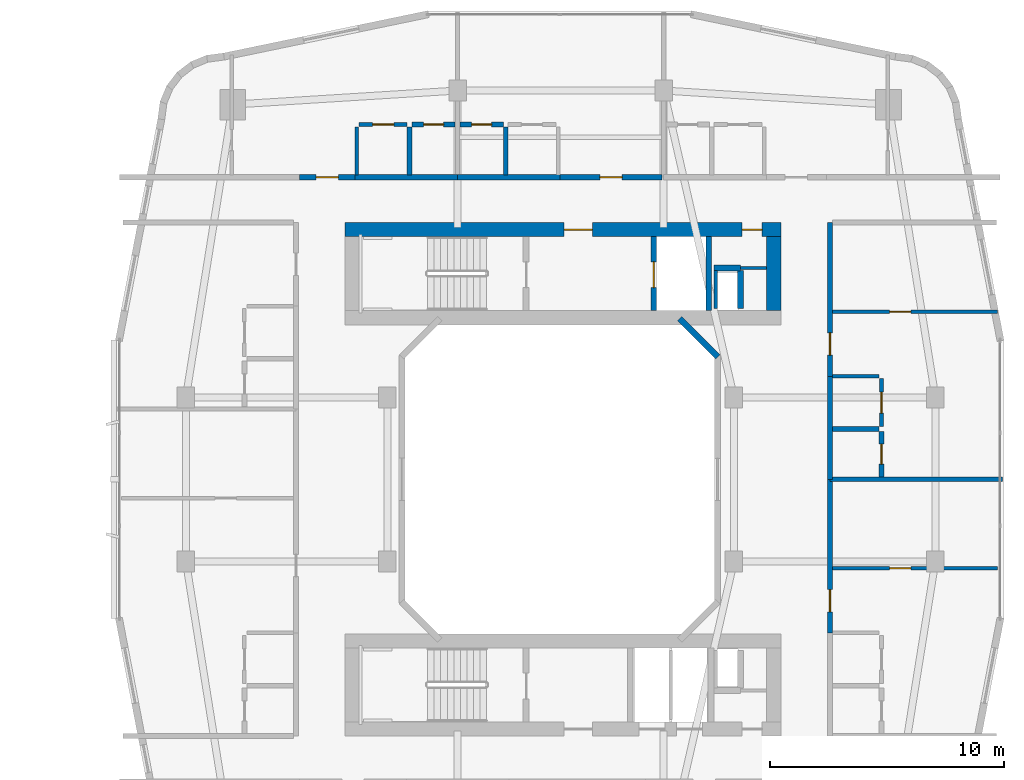
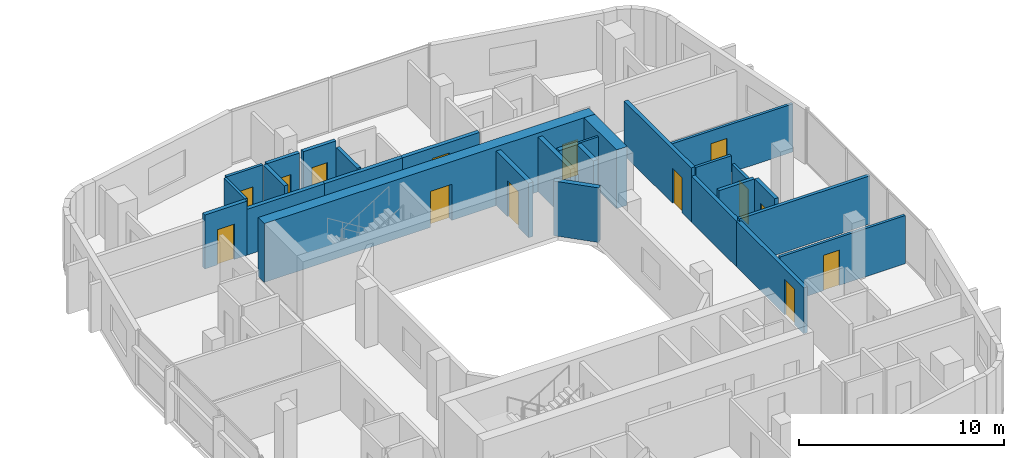
# One storey, part 20 of 27: 29 walls, 14 doors, 14 openings.
"""IFC4 building model written with IfcOpenShell, lengths in metres."""

from ifc_helpers import new_model, si_unit, derived_unit, direction, frame, frame_2d, origin, place, context, subcontext, project, spatial, rectangle, extrude, material, layer, layer_set, type_object, element, fill, save


model = new_model("IFC4")

# Units and contexts
model_context = context("Model", 3, precision=1e-05, world=origin(), true_north=direction((0.0, 1.0)))
body_context = subcontext(model_context, "Body", "Model", "MODEL_VIEW")
ifc_project = project(units=[si_unit("LENGTHUNIT", "METRE"), si_unit("AREAUNIT", "SQUARE_METRE"), si_unit("VOLUMEUNIT", "CUBIC_METRE"), si_unit("PLANEANGLEUNIT", "RADIAN"), si_unit("MASSUNIT", "GRAM", prefix="KILO"), derived_unit("THERMALTRANSMITTANCEUNIT", [(si_unit("POWERUNIT", "WATT"), 1), (si_unit("LENGTHUNIT", "METRE"), -2), (si_unit("THERMODYNAMICTEMPERATUREUNIT", "KELVIN"), -1)])], contexts=[model_context])

# Site, building, storey
site_placement = place(None, origin())
site = spatial("IfcSite", under=ifc_project, at=site_placement, CompositionType="ELEMENT")
building_placement = place(site_placement, origin())
building = spatial("IfcBuilding", under=site, at=building_placement, Name="Kivonza Crest Hotel", CompositionType="ELEMENT")
storey_placement = place(building_placement, frame((0.0, 0.0, 31.0)))
storey = spatial("IfcBuildingStorey", under=building, at=storey_placement, Name="L07", CompositionType="ELEMENT", Elevation=31.0)

# Walls
ifc_material_1 = material(Name="High-density acoustic masonry inter-tenancy wall", Category="masonry")
ifc_layer_1 = layer(ifc_material_1, 0.179931640625)
ifc_layer_set_1 = layer_set([ifc_layer_1], Name="High-density acoustic masonry inter-tenancy wall")
wall_type_1 = type_object("IfcWallType", Name="WL-ACOU-180", PredefinedType="SOLIDWALL", material=ifc_layer_set_1)
wall_1_placement = place(storey_placement, frame((88.5, 25.0, 0.0), z_axis=(0.0, 0.0, 1.0), x_axis=(1.0, 0.0, 0.0)))
element("IfcWall", 1, at=wall_1_placement, inside=storey, type_object=wall_type_1, Name="L07 interior partition WA-L07-T2E-DIV1", PredefinedType="SOLIDWALL", context=body_context, shape_type="SweptSolid", body=[
    extrude(rectangle(XDim=7.360107421875, YDim=0.179931640625, at=frame_2d((3.68017578125, 0.0))), origin(), (0.0, 0.0, 1.0), 2.864990234375),
])
ifc_material_2 = material(Name="Autoclaved aerated concrete blockwork", Category="masonry")
ifc_layer_2 = layer(ifc_material_2, 0.219970703125)
ifc_layer_set_2 = layer_set([ifc_layer_2], Name="Autoclaved aerated concrete blockwork")
wall_type_2 = type_object("IfcWallType", Name="WL-ACOU-220", PredefinedType="SOLIDWALL", material=ifc_layer_set_2)
wall_2_placement = place(storey_placement, frame((68.219970703125, 37.89990234375, 0.0), z_axis=(0.0, 0.0, 1.0), x_axis=(1.0, 0.0, 0.0)))
element("IfcWall", 2, at=wall_2_placement, inside=storey, type_object=wall_type_2, Name="L07 interior partition WA-L07-A01-RCORR", PredefinedType="SOLIDWALL", context=body_context, shape_type="SweptSolid", body=[
    extrude(rectangle(XDim=4.380126953125, YDim=0.219970703125, at=frame_2d((2.18994140625, 0.0))), origin(), (0.0, 0.0, 1.0), 2.72509765625),
])

# Wall, opening, door
wall_3_placement = place(storey_placement, frame((65.85009765625, 37.89990234375, 0.0), z_axis=(0.0, 0.0, 1.0), x_axis=(1.0, 0.0, 0.0)))
wall_3 = element("IfcWall", 3, at=wall_3_placement, inside=storey, type_object=wall_type_2, Name="L07 interior partition WA-L07-A01-MCORR", PredefinedType="SOLIDWALL", context=body_context, shape_type="SweptSolid", body=[
    extrude(rectangle(XDim=2.369873046875, YDim=0.219970703125, at=frame_2d((1.18505859375, 0.0))), origin(), (0.0, 0.0, 1.0), 3.219970703125),
])
opening_1_placement = place(wall_3_placement, frame((0.7099609375, 0.0, 0.0)))
opening_1 = element("IfcOpeningElement", 4, at=opening_1_placement, cuts=wall_3, Name="Opening DU-60", PredefinedType="OPENING", context=body_context, shape_type="SweptSolid", body=[
    extrude(rectangle(XDim=0.949951171875, YDim=2.10009765625, at=frame_2d((0.47509765625, 1.050048828125))), frame((0.0, 0.1201171875, 0.0), z_axis=(0.0, -1.0, 0.0), x_axis=(1.0, 0.0, 0.0)), (0.0, 0.0, 1.0), 0.239990234375),
])
ifc_material_3 = material(Name="Hardwood timber oak", Category="wood")
door_type_1 = type_object("IfcDoorType", Name="DR-UNIT-950", OperationType="NOTDEFINED", PredefinedType="DOOR", material=ifc_material_3)
door_1_placement = place(opening_1_placement, origin())
door_1 = element("IfcDoor", 5, at=door_1_placement, inside=storey, type_object=door_type_1, Name="L07 A01 apartment entrance fire door", OperationType="SINGLE_SWING_LEFT", OverallHeight=2.10009765625, OverallWidth=0.949951171875, PredefinedType="DOOR", context=body_context, shape_type="SweptSolid", body=[
    extrude(rectangle(XDim=0.949951171875, YDim=2.10009765625, at=frame_2d((0.47509765625, 1.050048828125))), frame((0.0, 0.02490234375, 0.0), z_axis=(0.0, -1.0, 0.0), x_axis=(1.0, 0.0, 0.0)), (0.0, 0.0, 1.0), 0.050048828125),
])
fill(opening_1, door_1)

# Wall
wall_4_placement = place(storey_placement, frame((72.60009765625, 37.89990234375, 0.0), z_axis=(0.0, 0.0, 1.0), x_axis=(1.0, 0.0, 0.0)))
element("IfcWall", 6, at=wall_4_placement, inside=storey, type_object=wall_type_2, Name="L07 interior partition WA-L07-A02-LCORR", PredefinedType="SOLIDWALL", context=body_context, shape_type="SweptSolid", body=[
    extrude(rectangle(XDim=4.3798828125, YDim=0.219970703125, at=frame_2d((2.18994140625, 0.0))), origin(), (0.0, 0.0, 1.0), 2.72509765625),
])

# Wall, opening, door
wall_5_placement = place(storey_placement, frame((76.97998046875, 37.89990234375, 0.0), z_axis=(0.0, 0.0, 1.0), x_axis=(1.0, 0.0, 0.0)))
wall_5 = element("IfcWall", 7, at=wall_5_placement, inside=storey, type_object=wall_type_2, Name="L07 interior partition WA-L07-A02-MCORR", PredefinedType="SOLIDWALL", context=body_context, shape_type="SweptSolid", body=[
    extrude(rectangle(XDim=4.340087890625, YDim=0.219970703125, at=frame_2d((2.169921875, 0.0))), origin(), (0.0, 0.0, 1.0), 2.72509765625),
])
opening_2_placement = place(wall_5_placement, frame((1.695068359375, 0.0, 0.0)))
opening_2 = element("IfcOpeningElement", 8, at=opening_2_placement, cuts=wall_5, Name="Opening DU-60", PredefinedType="OPENING", context=body_context, shape_type="SweptSolid", body=[
    extrude(rectangle(XDim=0.949951171875, YDim=2.10009765625, at=frame_2d((0.47509765625, 1.050048828125))), frame((0.0, 0.1201171875, 0.0), z_axis=(0.0, -1.0, 0.0), x_axis=(1.0, 0.0, 0.0)), (0.0, 0.0, 1.0), 0.239990234375),
])
door_2_placement = place(opening_2_placement, origin())
door_2 = element("IfcDoor", 9, at=door_2_placement, inside=storey, type_object=door_type_1, Name="L07 A02 apartment entrance fire door", OperationType="SINGLE_SWING_RIGHT", OverallHeight=2.10009765625, OverallWidth=0.949951171875, PredefinedType="DOOR", context=body_context, shape_type="SweptSolid", body=[
    extrude(rectangle(XDim=0.949951171875, YDim=2.10009765625, at=frame_2d((0.47509765625, 1.050048828125))), frame((0.0, 0.02490234375, 0.0), z_axis=(0.0, -1.0, 0.0), x_axis=(1.0, 0.0, 0.0)), (0.0, 0.0, 1.0), 0.050048828125),
])
fill(opening_2, door_2)

wall_6_placement = place(storey_placement, frame((88.5, 18.43994140625, 0.0), z_axis=(0.0, 0.0, 1.0), x_axis=(0.0, 1.0, 0.0)))
wall_6 = element("IfcWall", 10, at=wall_6_placement, inside=storey, type_object=wall_type_2, Name="L07 interior partition WA-L07-A08-MCORR", PredefinedType="SOLIDWALL", context=body_context, shape_type="SweptSolid", body=[
    extrude(rectangle(XDim=6.56005859375, YDim=0.219970703125, at=frame_2d((3.280029296875, 0.0))), origin(), (0.0, 0.0, 1.0), 2.72509765625),
])
opening_3_placement = place(wall_6_placement, frame((0.905029296875, 0.0, 0.0)))
opening_3 = element("IfcOpeningElement", 11, at=opening_3_placement, cuts=wall_6, Name="Opening DU-60", PredefinedType="OPENING", context=body_context, shape_type="SweptSolid", body=[
    extrude(rectangle(XDim=0.949951171875, YDim=2.10009765625, at=frame_2d((0.47509765625, 1.050048828125))), frame((0.0, 0.1201171875, 0.0), z_axis=(0.0, -1.0, 0.0), x_axis=(1.0, 0.0, 0.0)), (0.0, 0.0, 1.0), 0.239990234375),
])
door_3_placement = place(opening_3_placement, frame((0.949951171875, 0.0, 0.0), z_axis=(0.0, 0.0, 1.0), x_axis=(-1.0, 0.0, 0.0)))
door_3 = element("IfcDoor", 12, at=door_3_placement, inside=storey, type_object=door_type_1, Name="L07 A08 apartment entrance fire door", OperationType="SINGLE_SWING_RIGHT", OverallHeight=2.10009765625, OverallWidth=0.949951171875, PredefinedType="DOOR", context=body_context, shape_type="SweptSolid", body=[
    extrude(rectangle(XDim=0.949951171875, YDim=2.10009765625, at=frame_2d((0.47509765625, 1.050048828125))), frame((0.0, 0.02490234375, 0.0), z_axis=(0.0, -1.0, 0.0), x_axis=(1.0, 0.0, 0.0)), (0.0, 0.0, 1.0), 0.050048828125),
])
fill(opening_3, door_3)

# Wall
wall_7_placement = place(storey_placement, frame((88.5, 25.0, 0.0), z_axis=(0.0, 0.0, 1.0), x_axis=(0.0, 1.0, 0.0)))
element("IfcWall", 13, at=wall_7_placement, inside=storey, type_object=wall_type_2, Name="L07 interior partition WA-L07-A09-BCORR", PredefinedType="SOLIDWALL", context=body_context, shape_type="SweptSolid", body=[
    extrude(rectangle(XDim=4.39990234375, YDim=0.219970703125, at=frame_2d((2.199951171875, 0.0))), origin(), (0.0, 0.0, 1.0), 2.72509765625),
])

# Wall, opening, door
wall_8_placement = place(storey_placement, frame((88.5, 29.39990234375, 0.0), z_axis=(0.0, 0.0, 1.0), x_axis=(0.0, 1.0, 0.0)))
wall_8 = element("IfcWall", 14, at=wall_8_placement, inside=storey, type_object=wall_type_2, Name="L07 interior partition WA-L07-A09-MCORR", PredefinedType="SOLIDWALL", context=body_context, shape_type="SweptSolid", body=[
    extrude(rectangle(XDim=6.56005859375, YDim=0.219970703125, at=frame_2d((3.280029296875, 0.0))), origin(), (0.0, 0.0, 1.0), 3.219970703125),
])
opening_4_placement = place(wall_8_placement, frame((0.905029296875, 0.0, 0.0)))
opening_4 = element("IfcOpeningElement", 15, at=opening_4_placement, cuts=wall_8, Name="Opening DU-60", PredefinedType="OPENING", context=body_context, shape_type="SweptSolid", body=[
    extrude(rectangle(XDim=0.949951171875, YDim=2.10009765625, at=frame_2d((0.47509765625, 1.050048828125))), frame((0.0, 0.1201171875, 0.0), z_axis=(0.0, -1.0, 0.0), x_axis=(1.0, 0.0, 0.0)), (0.0, 0.0, 1.0), 0.239990234375),
])
door_4_placement = place(opening_4_placement, frame((0.949951171875, 0.0, 0.0), z_axis=(0.0, 0.0, 1.0), x_axis=(-1.0, 0.0, 0.0)))
door_4 = element("IfcDoor", 16, at=door_4_placement, inside=storey, type_object=door_type_1, Name="L07 A09 apartment entrance fire door", OperationType="SINGLE_SWING_LEFT", OverallHeight=2.10009765625, OverallWidth=0.949951171875, PredefinedType="DOOR", context=body_context, shape_type="SweptSolid", body=[
    extrude(rectangle(XDim=0.949951171875, YDim=2.10009765625, at=frame_2d((0.47509765625, 1.050048828125))), frame((0.0, 0.02490234375, 0.0), z_axis=(0.0, -1.0, 0.0), x_axis=(1.0, 0.0, 0.0)), (0.0, 0.0, 1.0), 0.050048828125),
])
fill(opening_4, door_4)

# Wall, openings, doors
ifc_material_4 = material(Name="Concrete C60/75", Category="concrete")
ifc_layer_3 = layer(ifc_material_4, 0.60009765625)
ifc_layer_set_3 = layer_set([ifc_layer_3], Name="Concrete C60/75")
wall_type_3 = type_object("IfcWallType", Name="WL-CORE-600", PredefinedType="SHEAR", material=ifc_layer_set_3)
wall_9_placement = place(storey_placement, frame((67.800048828125, 35.659912109375, 0.0), z_axis=(0.0, 0.0, 1.0), x_axis=(1.0, 0.0, 0.0)))
wall_9 = element("IfcWall", 17, at=wall_9_placement, inside=storey, type_object=wall_type_3, Name="Core wall T2-N North L07", PredefinedType="SHEAR", context=body_context, shape_type="SweptSolid", body=[
    extrude(rectangle(XDim=18.599853515625, YDim=0.60009765625, at=frame_2d((9.2998046875, 0.0))), origin(), (0.0, 0.0, 1.0), 3.5),
])
opening_5_placement = place(wall_9_placement, frame((9.35009765625, 0.0, 0.0)))
opening_5 = element("IfcOpeningElement", 18, at=opening_5_placement, cuts=wall_9, Name="Opening DF-60", PredefinedType="OPENING", context=body_context, shape_type="SweptSolid", body=[
    extrude(rectangle(XDim=1.199951171875, YDim=2.14990234375, at=frame_2d((0.60009765625, 1.074951171875))), frame((0.0, 0.31005859375, 0.0), z_axis=(0.0, -1.0, 0.0), x_axis=(1.0, 0.0, 0.0)), (0.0, 0.0, 1.0), 0.6201171875),
])
opening_6_placement = place(wall_9_placement, frame((16.949951171875, 0.0, 0.0)))
opening_6 = element("IfcOpeningElement", 19, at=opening_6_placement, cuts=wall_9, Name="Opening DF-60R", PredefinedType="OPENING", context=body_context, shape_type="SweptSolid", body=[
    extrude(rectangle(XDim=0.85009765625, YDim=2.10009765625, at=frame_2d((0.425048828125, 1.050048828125))), frame((0.0, 0.31005859375, 0.0), z_axis=(0.0, -1.0, 0.0), x_axis=(1.0, 0.0, 0.0)), (0.0, 0.0, 1.0), 0.6201171875),
])
door_type_2 = type_object("IfcDoorType", Name="DR-FD60-1200", OperationType="NOTDEFINED", PredefinedType="DOOR", material=ifc_material_3)
door_5_placement = place(opening_5_placement, origin())
door_5 = element("IfcDoor", 20, at=door_5_placement, inside=storey, type_object=door_type_2, Name="L07 T2-N firefighting lobby fire door", OperationType="SINGLE_SWING_RIGHT", OverallHeight=2.14990234375, OverallWidth=1.199951171875, PredefinedType="DOOR", context=body_context, shape_type="SweptSolid", body=[
    extrude(rectangle(XDim=1.199951171875, YDim=2.14990234375, at=frame_2d((0.60009765625, 1.074951171875))), frame((0.0, 0.02490234375, 0.0), z_axis=(0.0, -1.0, 0.0), x_axis=(1.0, 0.0, 0.0)), (0.0, 0.0, 1.0), 0.050048828125),
])
fill(opening_5, door_5)
door_type_3 = type_object("IfcDoorType", Name="DR-FD60-850", OperationType="NOTDEFINED", PredefinedType="DOOR", material=ifc_material_3)
door_6_placement = place(opening_6_placement, origin())
door_6 = element("IfcDoor", 21, at=door_6_placement, inside=storey, type_object=door_type_3, Name="L07 T2-N core room door", OperationType="SINGLE_SWING_RIGHT", OverallHeight=2.10009765625, OverallWidth=0.85009765625, PredefinedType="DOOR", context=body_context, shape_type="SweptSolid", body=[
    extrude(rectangle(XDim=0.85009765625, YDim=2.10009765625, at=frame_2d((0.425048828125, 1.050048828125))), frame((0.0, 0.02490234375, 0.0), z_axis=(0.0, -1.0, 0.0), x_axis=(1.0, 0.0, 0.0)), (0.0, 0.0, 1.0), 0.050048828125),
])
fill(opening_6, door_6)

# Walls
wall_10_placement = place(storey_placement, frame((86.10009765625, 32.199951171875, 0.0), z_axis=(0.0, 0.0, 1.0), x_axis=(0.0, 1.0, 0.0)))
element("IfcWall", 22, at=wall_10_placement, inside=storey, type_object=wall_type_3, Name="Core wall T2-N East L07", PredefinedType="SHEAR", context=body_context, shape_type="SweptSolid", body=[
    extrude(rectangle(XDim=3.16015625, YDim=0.60009765625, at=frame_2d((1.580078125, 0.0))), origin(), (0.0, 0.0, 1.0), 3.5),
])
ifc_material_5 = material(Name="Precast concrete C40/50", Category="concrete")
ifc_layer_4 = layer(ifc_material_5, 0.260009765625)
ifc_layer_set_4 = layer_set([ifc_layer_4], Name="Precast concrete C40/50")
wall_type_4 = type_object("IfcWallType", Name="WL-EXT-260", PredefinedType="STANDARD", material=ifc_layer_set_4)
wall_11_placement = place(storey_placement, frame((83.716064453125, 30.22802734375, 0.0), z_axis=(0.0, 0.0, 1.0), x_axis=(-0.707106781187, 0.707106781187, 0.0)))
element("IfcWall", 23, at=wall_11_placement, inside=storey, type_object=wall_type_4, Name="L07 T2 light-well exterior wall 4", PredefinedType="STANDARD", context=body_context, shape_type="SweptSolid", body=[
    extrude(rectangle(XDim=2.310791015625, YDim=0.260009765625, at=frame_2d((1.1552734375, 0.0))), origin(), (0.0, 0.0, 1.0), 3.25),
])
ifc_material_6 = material(Name="Concrete blockwork fire-compartment wall", Category="masonry")
ifc_layer_5 = layer(ifc_material_6, 0.25)
ifc_layer_set_5 = layer_set([ifc_layer_5], Name="Concrete blockwork fire-compartment wall")
wall_type_5 = type_object("IfcWallType", Name="WL-FIRE-250", PredefinedType="SOLIDWALL", material=ifc_layer_set_5)
wall_12_placement = place(storey_placement, frame((84.679931640625, 32.300048828125, 0.0), z_axis=(0.0, 0.0, 1.0), x_axis=(0.0, 1.0, 0.0)))
element("IfcWall", 24, at=wall_12_placement, inside=storey, type_object=wall_type_5, Name="L07 interior partition WA-L07-T2-N-MEPR-E", PredefinedType="SOLIDWALL", context=body_context, shape_type="SweptSolid", body=[
    extrude(rectangle(XDim=1.619873046875, YDim=0.25, at=frame_2d((0.81005859375, 0.0))), origin(), (0.0, 0.0, 1.0), 3.219970703125),
])
wall_13_placement = place(storey_placement, frame((83.550048828125, 34.02001953125, 0.0), z_axis=(0.0, 0.0, 1.0), x_axis=(1.0, 0.0, 0.0)))
element("IfcWall", 25, at=wall_13_placement, inside=storey, type_object=wall_type_5, Name="L07 interior partition WA-L07-T2-N-MEPR-H", PredefinedType="SOLIDWALL", context=body_context, shape_type="SweptSolid", body=[
    extrude(rectangle(XDim=1.1298828125, YDim=0.25, at=frame_2d((0.56494140625, 0.0))), origin(), (0.0, 0.0, 1.0), 3.219970703125),
])
ifc_material_7 = material(Name="Metal-stud gypsum board partition", Category="gypsum")
ifc_layer_6 = layer(ifc_material_7, 0.125)
ifc_layer_set_6 = layer_set([ifc_layer_6], Name="Metal-stud gypsum board partition")
wall_type_6 = type_object("IfcWallType", Name="WL-PART-125", PredefinedType="PARTITIONING", material=ifc_layer_set_6)
wall_14_placement = place(storey_placement, frame((84.679931640625, 34.02001953125, 0.0), z_axis=(0.0, 0.0, 1.0), x_axis=(1.0, 0.0, 0.0)))
element("IfcWall", 26, at=wall_14_placement, inside=storey, type_object=wall_type_6, Name="L07 interior partition WP-L07-T2-N-T2H", PredefinedType="PARTITIONING", context=body_context, shape_type="SweptSolid", body=[
    extrude(rectangle(XDim=1.1201171875, YDim=0.125, at=frame_2d((0.56005859375, 0.0))), origin(), (0.0, 0.0, 1.0), 3.219970703125),
])
ifc_material_8 = material(Name="Twin-stud acoustic gypsum board partition", Category="gypsum")
ifc_layer_7 = layer(ifc_material_8, 0.14990234375)
ifc_layer_set_7 = layer_set([ifc_layer_7], Name="Twin-stud acoustic gypsum board partition")
wall_type_7 = type_object("IfcWallType", Name="WL-PART-150", PredefinedType="PARTITIONING", material=ifc_layer_set_7)
wall_15_placement = place(storey_placement, frame((83.6298828125, 32.300048828125, 0.0), z_axis=(0.0, 0.0, 1.0), x_axis=(0.0, 1.0, 0.0)))
element("IfcWall", 27, at=wall_15_placement, inside=storey, type_object=wall_type_7, Name="L07 interior partition WA-L07-T2-N-MEPR-W", PredefinedType="PARTITIONING", context=body_context, shape_type="SweptSolid", body=[
    extrude(rectangle(XDim=1.619873046875, YDim=0.14990234375, at=frame_2d((0.81005859375, 0.0))), origin(), (0.0, 0.0, 1.0), 2.72509765625),
])
wall_16_placement = place(storey_placement, frame((68.300048828125, 38.0, 0.0), z_axis=(0.0, 0.0, 1.0), x_axis=(0.0, 1.0, 0.0)))
element("IfcWall", 28, at=wall_16_placement, inside=storey, type_object=wall_type_7, Name="L07 interior partition WP-L07-A01-KF", PredefinedType="PARTITIONING", context=body_context, shape_type="SweptSolid", body=[
    extrude(rectangle(XDim=2.050048828125, YDim=0.14990234375, at=frame_2d((1.02490234375, 0.0))), origin(), (0.0, 0.0, 1.0), 3.219970703125),
])

# Wall, opening, door
wall_17_placement = place(storey_placement, frame((68.39990234375, 40.14990234375, 0.0), z_axis=(0.0, 0.0, 1.0), x_axis=(1.0, 0.0, 0.0)))
wall_17 = element("IfcWall", 29, at=wall_17_placement, inside=storey, type_object=wall_type_7, Name="L07 interior partition WP-L07-A01-KSVC", PredefinedType="PARTITIONING", context=body_context, shape_type="SweptSolid", body=[
    extrude(rectangle(XDim=2.050048828125, YDim=0.14990234375, at=frame_2d((1.02490234375, 0.0))), origin(), (0.0, 0.0, 1.0), 3.219970703125),
])
opening_7_placement = place(wall_17_placement, frame((0.574951171875, 0.0, 0.0)))
opening_7 = element("IfcOpeningElement", 30, at=opening_7_placement, cuts=wall_17, Name="Opening DI-90", PredefinedType="OPENING", context=body_context, shape_type="SweptSolid", body=[
    extrude(rectangle(XDim=0.89990234375, YDim=2.10009765625, at=frame_2d((0.449951171875, 1.050048828125))), frame((0.0, 0.0849609375, 0.0), z_axis=(0.0, -1.0, 0.0), x_axis=(1.0, 0.0, 0.0)), (0.0, 0.0, 1.0), 0.169921875),
])
door_type_4 = type_object("IfcDoorType", Name="DR-INT-900", OperationType="NOTDEFINED", PredefinedType="DOOR", material=ifc_material_3)
door_7_placement = place(opening_7_placement, origin())
door_7 = element("IfcDoor", 31, at=door_7_placement, inside=storey, type_object=door_type_4, Name="L07 A01 apartment kitchen door", OperationType="SINGLE_SWING_LEFT", OverallHeight=2.10009765625, OverallWidth=0.89990234375, PredefinedType="DOOR", context=body_context, shape_type="SweptSolid", body=[
    extrude(rectangle(XDim=0.89990234375, YDim=2.10009765625, at=frame_2d((0.449951171875, 1.050048828125))), frame((0.0, 0.02490234375, 0.0), z_axis=(0.0, -1.0, 0.0), x_axis=(1.0, 0.0, 0.0)), (0.0, 0.0, 1.0), 0.050048828125),
])
fill(opening_7, door_7)

wall_18_placement = place(storey_placement, frame((88.60009765625, 21.199951171875, 0.0), z_axis=(0.0, 0.0, 1.0), x_axis=(1.0, 0.0, 0.0)))
wall_18 = element("IfcWall", 32, at=wall_18_placement, inside=storey, type_object=wall_type_7, Name="L07 interior partition WP-L07-A08-BD1", PredefinedType="PARTITIONING", context=body_context, shape_type="SweptSolid", body=[
    extrude(rectangle(XDim=7.059814453125, YDim=0.14990234375, at=frame_2d((3.52978515625, 0.0))), origin(), (0.0, 0.0, 1.0), 2.864990234375),
])
opening_8_placement = place(wall_18_placement, frame((2.449951171875, 0.0, 0.0)))
opening_8 = element("IfcOpeningElement", 33, at=opening_8_placement, cuts=wall_18, Name="Opening DI-90", PredefinedType="OPENING", context=body_context, shape_type="SweptSolid", body=[
    extrude(rectangle(XDim=0.89990234375, YDim=2.10009765625, at=frame_2d((0.449951171875, 1.050048828125))), frame((0.0, 0.0849609375, 0.0), z_axis=(0.0, -1.0, 0.0), x_axis=(1.0, 0.0, 0.0)), (0.0, 0.0, 1.0), 0.169921875),
])
door_8_placement = place(opening_8_placement, origin())
door_8 = element("IfcDoor", 34, at=door_8_placement, inside=storey, type_object=door_type_4, Name="L07 A08 bedroom door", OperationType="SINGLE_SWING_LEFT", OverallHeight=2.10009765625, OverallWidth=0.89990234375, PredefinedType="DOOR", context=body_context, shape_type="SweptSolid", body=[
    extrude(rectangle(XDim=0.89990234375, YDim=2.10009765625, at=frame_2d((0.449951171875, 1.050048828125))), frame((0.0, 0.02490234375, 0.0), z_axis=(0.0, -1.0, 0.0), x_axis=(1.0, 0.0, 0.0)), (0.0, 0.0, 1.0), 0.050048828125),
])
fill(opening_8, door_8)

wall_19_placement = place(storey_placement, frame((88.60009765625, 32.159912109375, 0.0), z_axis=(0.0, 0.0, 1.0), x_axis=(1.0, 0.0, 0.0)))
wall_19 = element("IfcWall", 35, at=wall_19_placement, inside=storey, type_object=wall_type_7, Name="L07 interior partition WP-L07-A09-BD1", PredefinedType="PARTITIONING", context=body_context, shape_type="SweptSolid", body=[
    extrude(rectangle(XDim=7.059814453125, YDim=0.14990234375, at=frame_2d((3.52978515625, 0.0))), origin(), (0.0, 0.0, 1.0), 2.864990234375),
])
opening_9_placement = place(wall_19_placement, frame((2.449951171875, 0.0, 0.0)))
opening_9 = element("IfcOpeningElement", 36, at=opening_9_placement, cuts=wall_19, Name="Opening DI-90", PredefinedType="OPENING", context=body_context, shape_type="SweptSolid", body=[
    extrude(rectangle(XDim=0.89990234375, YDim=2.10009765625, at=frame_2d((0.449951171875, 1.050048828125))), frame((0.0, 0.0849609375, 0.0), z_axis=(0.0, -1.0, 0.0), x_axis=(1.0, 0.0, 0.0)), (0.0, 0.0, 1.0), 0.169921875),
])
door_9_placement = place(opening_9_placement, origin())
door_9 = element("IfcDoor", 37, at=door_9_placement, inside=storey, type_object=door_type_4, Name="L07 A09 bedroom door", OperationType="SINGLE_SWING_RIGHT", OverallHeight=2.10009765625, OverallWidth=0.89990234375, PredefinedType="DOOR", context=body_context, shape_type="SweptSolid", body=[
    extrude(rectangle(XDim=0.89990234375, YDim=2.10009765625, at=frame_2d((0.449951171875, 1.050048828125))), frame((0.0, 0.02490234375, 0.0), z_axis=(0.0, -1.0, 0.0), x_axis=(1.0, 0.0, 0.0)), (0.0, 0.0, 1.0), 0.050048828125),
])
fill(opening_9, door_9)

# Wall
wall_20_placement = place(storey_placement, frame((88.60009765625, 29.39990234375, 0.0), z_axis=(0.0, 0.0, 1.0), x_axis=(1.0, 0.0, 0.0)))
element("IfcWall", 38, at=wall_20_placement, inside=storey, type_object=wall_type_7, Name="L07 interior partition WP-L07-A09-KF", PredefinedType="PARTITIONING", context=body_context, shape_type="SweptSolid", body=[
    extrude(rectangle(XDim=2.0, YDim=0.14990234375, at=frame_2d((1.0, 0.0))), origin(), (0.0, 0.0, 1.0), 3.219970703125),
])

# Wall, opening, door
wall_21_placement = place(storey_placement, frame((90.699951171875, 27.25, 0.0), z_axis=(0.0, 0.0, 1.0), x_axis=(0.0, 1.0, 0.0)))
wall_21 = element("IfcWall", 39, at=wall_21_placement, inside=storey, type_object=wall_type_7, Name="L07 interior partition WP-L07-A09-KSVC", PredefinedType="PARTITIONING", context=body_context, shape_type="SweptSolid", body=[
    extrude(rectangle(XDim=2.050048828125, YDim=0.14990234375, at=frame_2d((1.02490234375, 0.0))), origin(), (0.0, 0.0, 1.0), 2.72509765625),
])
opening_10_placement = place(wall_21_placement, frame((0.574951171875, 0.0, 0.0)))
opening_10 = element("IfcOpeningElement", 40, at=opening_10_placement, cuts=wall_21, Name="Opening DI-90", PredefinedType="OPENING", context=body_context, shape_type="SweptSolid", body=[
    extrude(rectangle(XDim=0.89990234375, YDim=2.10009765625, at=frame_2d((0.449951171875, 1.050048828125))), frame((0.0, 0.0849609375, 0.0), z_axis=(0.0, -1.0, 0.0), x_axis=(1.0, 0.0, 0.0)), (0.0, 0.0, 1.0), 0.169921875),
])
door_10_placement = place(opening_10_placement, frame((0.89990234375, 0.0, 0.0), z_axis=(0.0, 0.0, 1.0), x_axis=(-1.0, 0.0, 0.0)))
door_10 = element("IfcDoor", 41, at=door_10_placement, inside=storey, type_object=door_type_4, Name="L07 A09 apartment kitchen door", OperationType="SINGLE_SWING_LEFT", OverallHeight=2.10009765625, OverallWidth=0.89990234375, PredefinedType="DOOR", context=body_context, shape_type="SweptSolid", body=[
    extrude(rectangle(XDim=0.89990234375, YDim=2.10009765625, at=frame_2d((0.449951171875, 1.050048828125))), frame((0.0, 0.02490234375, 0.0), z_axis=(0.0, -1.0, 0.0), x_axis=(1.0, 0.0, 0.0)), (0.0, 0.0, 1.0), 0.050048828125),
])
fill(opening_10, door_10)

# Wall
ifc_material_9 = material(Name="Moisture-resistant plumbing chase partition wall", Category="gypsum")
ifc_layer_8 = layer(ifc_material_9, 0.199951171875)
ifc_layer_set_8 = layer_set([ifc_layer_8], Name="Moisture-resistant plumbing chase partition wall")
wall_type_8 = type_object("IfcWallType", Name="WL-PLUMB-200", PredefinedType="PLUMBINGWALL", material=ifc_layer_set_8)
wall_22_placement = place(storey_placement, frame((70.550048828125, 38.0, 0.0), z_axis=(0.0, 0.0, 1.0), x_axis=(0.0, 1.0, 0.0)))
element("IfcWall", 42, at=wall_22_placement, inside=storey, type_object=wall_type_8, Name="L07 interior partition WW-L07-A01-BK", PredefinedType="PLUMBINGWALL", context=body_context, shape_type="SweptSolid", body=[
    extrude(rectangle(XDim=2.050048828125, YDim=0.199951171875, at=frame_2d((1.02490234375, 0.0))), origin(), (0.0, 0.0, 1.0), 3.219970703125),
])

# Wall, opening, door
wall_23_placement = place(storey_placement, frame((70.64990234375, 40.14990234375, 0.0), z_axis=(0.0, 0.0, 1.0), x_axis=(1.0, 0.0, 0.0)))
wall_23 = element("IfcWall", 43, at=wall_23_placement, inside=storey, type_object=wall_type_8, Name="L07 interior partition WW-L07-A01-BSVC", PredefinedType="PLUMBINGWALL", context=body_context, shape_type="SweptSolid", body=[
    extrude(rectangle(XDim=1.85009765625, YDim=0.199951171875, at=frame_2d((0.925048828125, 0.0))), origin(), (0.0, 0.0, 1.0), 3.219970703125),
])
opening_11_placement = place(wall_23_placement, frame((0.5, 0.0, 0.0)))
opening_11 = element("IfcOpeningElement", 44, at=opening_11_placement, cuts=wall_23, Name="Opening DI-85", PredefinedType="OPENING", context=body_context, shape_type="SweptSolid", body=[
    extrude(rectangle(XDim=0.85009765625, YDim=2.10009765625, at=frame_2d((0.425048828125, 1.050048828125))), frame((0.0, 0.10986328125, 0.0), z_axis=(0.0, -1.0, 0.0), x_axis=(1.0, 0.0, 0.0)), (0.0, 0.0, 1.0), 0.219970703125),
])
door_type_5 = type_object("IfcDoorType", Name="DR-INT-850", OperationType="NOTDEFINED", PredefinedType="DOOR", material=ifc_material_3)
door_11_placement = place(opening_11_placement, origin())
door_11 = element("IfcDoor", 45, at=door_11_placement, inside=storey, type_object=door_type_5, Name="L07 A01 apartment bathroom door", OperationType="SINGLE_SWING_RIGHT", OverallHeight=2.10009765625, OverallWidth=0.85009765625, PredefinedType="DOOR", context=body_context, shape_type="SweptSolid", body=[
    extrude(rectangle(XDim=0.85009765625, YDim=2.10009765625, at=frame_2d((0.425048828125, 1.050048828125))), frame((0.0, 0.02490234375, 0.0), z_axis=(0.0, -1.0, 0.0), x_axis=(1.0, 0.0, 0.0)), (0.0, 0.0, 1.0), 0.050048828125),
])
fill(opening_11, door_11)

# Wall
wall_24_placement = place(storey_placement, frame((74.64990234375, 38.0, 0.0), z_axis=(0.0, 0.0, 1.0), x_axis=(0.0, 1.0, 0.0)))
element("IfcWall", 46, at=wall_24_placement, inside=storey, type_object=wall_type_8, Name="L07 interior partition WW-L07-A02-BK", PredefinedType="PLUMBINGWALL", context=body_context, shape_type="SweptSolid", body=[
    extrude(rectangle(XDim=2.050048828125, YDim=0.199951171875, at=frame_2d((1.02490234375, 0.0))), origin(), (0.0, 0.0, 1.0), 2.824951171875),
])

# Wall, opening, door
wall_25_placement = place(storey_placement, frame((72.699951171875, 40.14990234375, 0.0), z_axis=(0.0, 0.0, 1.0), x_axis=(1.0, 0.0, 0.0)))
wall_25 = element("IfcWall", 47, at=wall_25_placement, inside=storey, type_object=wall_type_8, Name="L07 interior partition WW-L07-A02-BSVC", PredefinedType="PLUMBINGWALL", context=body_context, shape_type="SweptSolid", body=[
    extrude(rectangle(XDim=1.85009765625, YDim=0.199951171875, at=frame_2d((0.925048828125, 0.0))), origin(), (0.0, 0.0, 1.0), 3.219970703125),
])
opening_12_placement = place(wall_25_placement, frame((0.5, 0.0, 0.0)))
opening_12 = element("IfcOpeningElement", 48, at=opening_12_placement, cuts=wall_25, Name="Opening DI-85", PredefinedType="OPENING", context=body_context, shape_type="SweptSolid", body=[
    extrude(rectangle(XDim=0.85009765625, YDim=2.10009765625, at=frame_2d((0.425048828125, 1.050048828125))), frame((0.0, 0.10986328125, 0.0), z_axis=(0.0, -1.0, 0.0), x_axis=(1.0, 0.0, 0.0)), (0.0, 0.0, 1.0), 0.219970703125),
])
door_12_placement = place(opening_12_placement, origin())
door_12 = element("IfcDoor", 49, at=door_12_placement, inside=storey, type_object=door_type_5, Name="L07 A02 apartment bathroom door", OperationType="SINGLE_SWING_LEFT", OverallHeight=2.10009765625, OverallWidth=0.85009765625, PredefinedType="DOOR", context=body_context, shape_type="SweptSolid", body=[
    extrude(rectangle(XDim=0.85009765625, YDim=2.10009765625, at=frame_2d((0.425048828125, 1.050048828125))), frame((0.0, 0.02490234375, 0.0), z_axis=(0.0, -1.0, 0.0), x_axis=(1.0, 0.0, 0.0)), (0.0, 0.0, 1.0), 0.050048828125),
])
fill(opening_12, door_12)

# Wall
wall_26_placement = place(storey_placement, frame((88.60009765625, 27.14990234375, 0.0), z_axis=(0.0, 0.0, 1.0), x_axis=(1.0, 0.0, 0.0)))
element("IfcWall", 50, at=wall_26_placement, inside=storey, type_object=wall_type_8, Name="L07 interior partition WW-L07-A09-BK", PredefinedType="PLUMBINGWALL", context=body_context, shape_type="SweptSolid", body=[
    extrude(rectangle(XDim=2.0, YDim=0.199951171875, at=frame_2d((1.0, 0.0))), origin(), (0.0, 0.0, 1.0), 3.219970703125),
])

# Wall, opening, door
wall_27_placement = place(storey_placement, frame((90.699951171875, 25.10009765625, 0.0), z_axis=(0.0, 0.0, 1.0), x_axis=(0.0, 1.0, 0.0)))
wall_27 = element("IfcWall", 51, at=wall_27_placement, inside=storey, type_object=wall_type_8, Name="L07 interior partition WW-L07-A09-BSVC", PredefinedType="PLUMBINGWALL", context=body_context, shape_type="SweptSolid", body=[
    extrude(rectangle(XDim=1.949951171875, YDim=0.199951171875, at=frame_2d((0.97509765625, 0.0))), origin(), (0.0, 0.0, 1.0), 3.219970703125),
])
opening_13_placement = place(wall_27_placement, frame((0.550048828125, 0.0, 0.0)))
opening_13 = element("IfcOpeningElement", 52, at=opening_13_placement, cuts=wall_27, Name="Opening DI-85", PredefinedType="OPENING", context=body_context, shape_type="SweptSolid", body=[
    extrude(rectangle(XDim=0.85009765625, YDim=2.10009765625, at=frame_2d((0.425048828125, 1.050048828125))), frame((0.0, 0.10986328125, 0.0), z_axis=(0.0, -1.0, 0.0), x_axis=(1.0, 0.0, 0.0)), (0.0, 0.0, 1.0), 0.219970703125),
])
door_13_placement = place(opening_13_placement, frame((0.85009765625, 0.0, 0.0), z_axis=(0.0, 0.0, 1.0), x_axis=(-1.0, 0.0, 0.0)))
door_13 = element("IfcDoor", 53, at=door_13_placement, inside=storey, type_object=door_type_5, Name="L07 A09 apartment bathroom door", OperationType="SINGLE_SWING_RIGHT", OverallHeight=2.10009765625, OverallWidth=0.85009765625, PredefinedType="DOOR", context=body_context, shape_type="SweptSolid", body=[
    extrude(rectangle(XDim=0.85009765625, YDim=2.10009765625, at=frame_2d((0.425048828125, 1.050048828125))), frame((0.0, 0.02490234375, 0.0), z_axis=(0.0, -1.0, 0.0), x_axis=(1.0, 0.0, 0.0)), (0.0, 0.0, 1.0), 0.050048828125),
])
fill(opening_13, door_13)

ifc_material_10 = material(Name="Concrete C50/60", Category="concrete")
ifc_layer_9 = layer(ifc_material_10, 0.25)
ifc_layer_set_9 = layer_set([ifc_layer_9], Name="Concrete C50/60")
wall_type_9 = type_object("IfcWallType", Name="WL-SHAFT-250", PredefinedType="STANDARD", material=ifc_layer_set_9)
wall_28_placement = place(storey_placement, frame((80.97509765625, 32.199951171875, 0.0), z_axis=(0.0, 0.0, 1.0), x_axis=(0.0, 1.0, 0.0)))
wall_28 = element("IfcWall", 54, at=wall_28_placement, inside=storey, type_object=wall_type_9, Name="Core shaft wall T2-N FFL-W L07", PredefinedType="STANDARD", context=body_context, shape_type="SweptSolid", body=[
    extrude(rectangle(XDim=3.16015625, YDim=0.25, at=frame_2d((1.580078125, 0.0))), origin(), (0.0, 0.0, 1.0), 3.25),
])
opening_14_placement = place(wall_28_placement, frame((0.97998046875, 0.0, 0.0)))
opening_14 = element("IfcOpeningElement", 55, at=opening_14_placement, cuts=wall_28, Name="Opening LD-120", PredefinedType="OPENING", context=body_context, shape_type="SweptSolid", body=[
    extrude(rectangle(XDim=1.10009765625, YDim=2.14990234375, at=frame_2d((0.550048828125, 1.074951171875))), frame((0.0, 0.135009765625, 0.0), z_axis=(0.0, -1.0, 0.0), x_axis=(1.0, 0.0, 0.0)), (0.0, 0.0, 1.0), 0.27001953125),
])
ifc_material_11 = material(Name="Stainless steel", Category="steel")
door_type_6 = type_object("IfcDoorType", Name="DR-LD120-1100", OperationType="NOTDEFINED", PredefinedType="DOOR", material=ifc_material_11)
door_14_placement = place(opening_14_placement, origin())
door_14 = element("IfcDoor", 56, at=door_14_placement, inside=storey, type_object=door_type_6, Name="L07 FFL-T2 firefighting lift sliding landing door", OperationType="DOUBLE_DOOR_SLIDING", OverallHeight=2.14990234375, OverallWidth=1.10009765625, PredefinedType="DOOR", context=body_context, shape_type="SweptSolid", body=[
    extrude(rectangle(XDim=1.10009765625, YDim=2.14990234375, at=frame_2d((0.550048828125, 1.074951171875))), frame((0.0, 0.02490234375, 0.0), z_axis=(0.0, -1.0, 0.0), x_axis=(1.0, 0.0, 0.0)), (0.0, 0.0, 1.0), 0.050048828125),
])
fill(opening_14, door_14)

# Wall
wall_29_placement = place(storey_placement, frame((83.324951171875, 32.199951171875, 0.0), z_axis=(0.0, 0.0, 1.0), x_axis=(0.0, 1.0, 0.0)))
element("IfcWall", 57, at=wall_29_placement, inside=storey, type_object=wall_type_9, Name="Core shaft wall T2-N FFL-E L07", PredefinedType="STANDARD", context=body_context, shape_type="SweptSolid", body=[
    extrude(rectangle(XDim=3.16015625, YDim=0.25, at=frame_2d((1.580078125, 0.0))), origin(), (0.0, 0.0, 1.0), 3.25),
])

save(model, "model.ifc")
